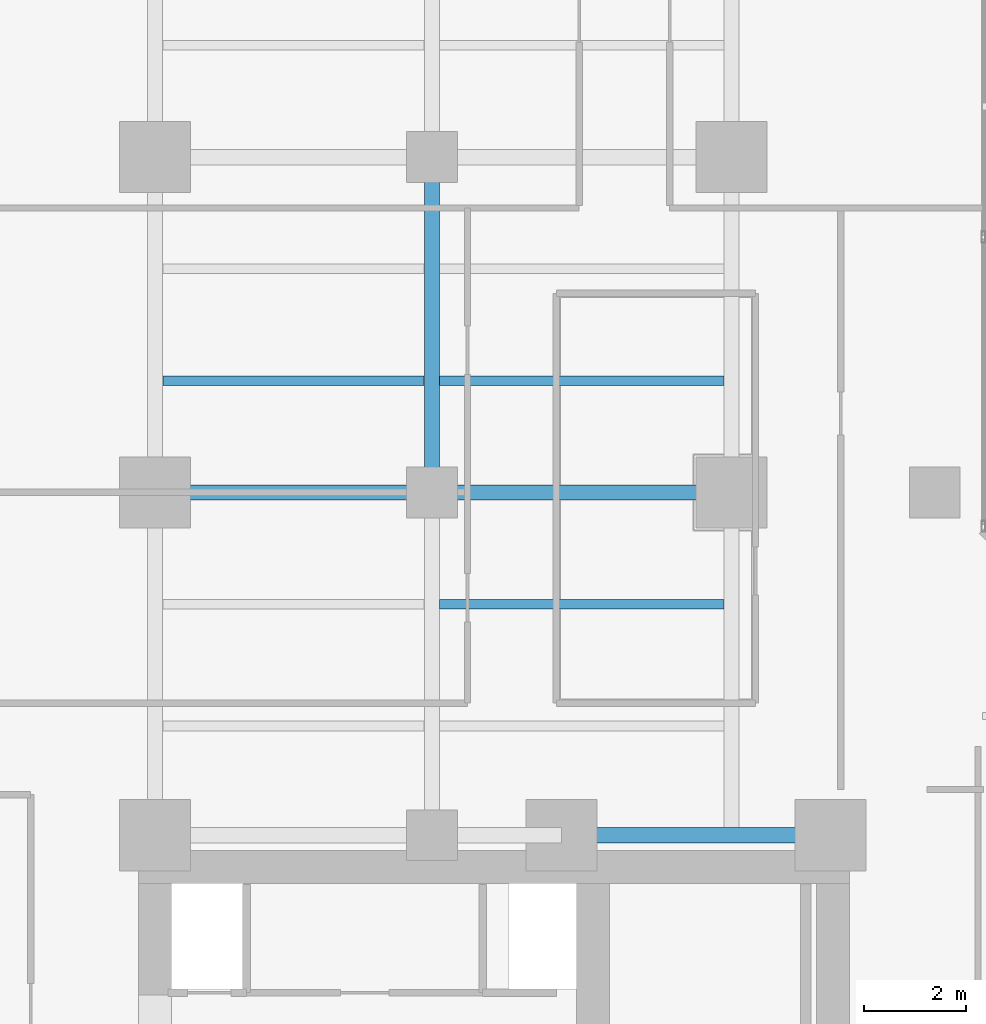
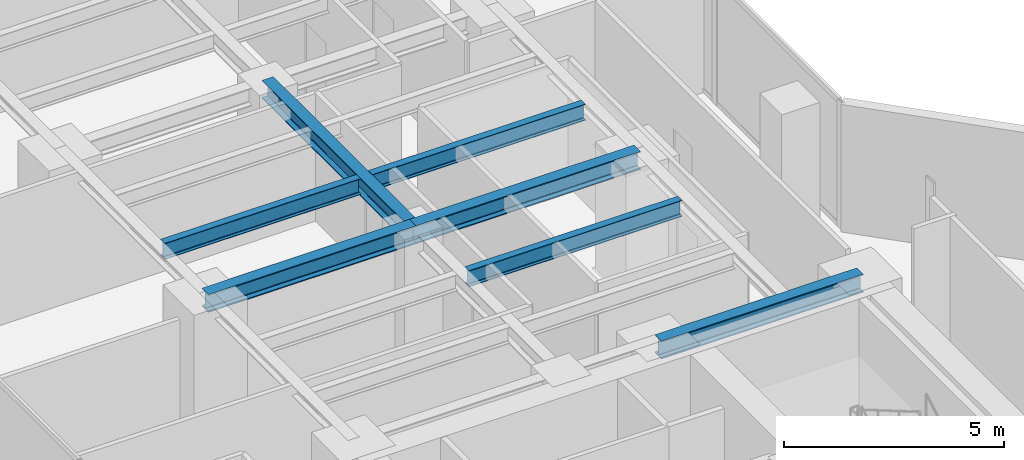
# One storey, part 8 of 26: 7 beams.
"""IFC4 building model written with IfcOpenShell, lengths in metres."""

from ifc_helpers import new_model, si_unit, direction, frame, origin, origin_2d, place, context, subcontext, project, spatial, i_section, extrude, material, material_profile, profile_set, type_object, element, save


model = new_model("IFC4")

# Units and contexts
model_context = context("Model", 3, precision=1e-05, world=origin(), true_north=direction((0.0, 1.0)))
body_context = subcontext(model_context, "Body", "Model", "MODEL_VIEW")
ifc_project = project(units=[si_unit("LENGTHUNIT", "METRE"), si_unit("AREAUNIT", "SQUARE_METRE"), si_unit("VOLUMEUNIT", "CUBIC_METRE"), si_unit("PLANEANGLEUNIT", "RADIAN"), si_unit("MASSUNIT", "GRAM", prefix="KILO")], contexts=[model_context])

# Site, building, storey
site_placement = place(None, origin())
site = spatial("IfcSite", under=ifc_project, at=site_placement, CompositionType="ELEMENT")
building_placement = place(site_placement, origin())
building = spatial("IfcBuilding", under=site, at=building_placement, Name="Kolvaren Waterfront Exchange", CompositionType="ELEMENT")
storey_placement = place(building_placement, frame((0.0, 0.0, 122.10009765625)))
storey = spatial("IfcBuildingStorey", under=building, at=storey_placement, Name="L31", CompositionType="ELEMENT", Elevation=122.10009765625)

# Beams
ifc_material = material(Name="Steel S355", Category="steel")
ifc_material_profile_1 = material_profile(ifc_material, i_section(OverallWidth=0.300048828125, OverallDepth=0.5, WebThickness=0.014404296875, FlangeThickness=0.028076171875, FilletRadius=0.027099609375, at=origin_2d()), Name="HEB500")
ifc_profile_set_1 = profile_set([ifc_material_profile_1], Name="Steel S355")
beam_type_1 = type_object("IfcBeamType", Name="STR-BM-HEB500", PredefinedType="BEAM", material=ifc_profile_set_1)
beam_1_placement = place(storey_placement, frame((15.449951171875, 24.449951171875, 3.289794921875), z_axis=(1.0, 0.0, 0.0), x_axis=(0.0, 1.0, 0.0)))
element("IfcBeam", 1, at=beam_1_placement, inside=storey, type_object=beam_type_1, Name="L31 north-arm girder 1C", PredefinedType="BEAM", context=body_context, shape_type="SweptSolid", body=[
    extrude(i_section(OverallWidth=0.300048828125, OverallDepth=0.5, WebThickness=0.014404296875, FlangeThickness=0.028076171875, FilletRadius=0.027099609375, at=origin_2d()), origin(), (0.0, 0.0, 1.0), 5.300048828125),
])
beam_2_placement = place(storey_placement, frame((7.449951171875, 31.199951171875, 3.289794921875), z_axis=(1.0, 0.0, 0.0), x_axis=(0.0, 1.0, 0.0)))
element("IfcBeam", 2, at=beam_2_placement, inside=storey, type_object=beam_type_1, Name="L31 north-arm girder 2A", PredefinedType="BEAM", context=body_context, shape_type="SweptSolid", body=[
    extrude(i_section(OverallWidth=0.300048828125, OverallDepth=0.5, WebThickness=0.014404296875, FlangeThickness=0.028076171875, FilletRadius=0.027099609375, at=origin_2d()), origin(), (0.0, 0.0, 1.0), 5.449951171875),
])
beam_3_placement = place(storey_placement, frame((12.89990234375, 31.199951171875, 3.289794921875), z_axis=(1.0, 0.0, 0.0), x_axis=(0.0, 1.0, 0.0)))
element("IfcBeam", 3, at=beam_3_placement, inside=storey, type_object=beam_type_1, Name="L31 north-arm girder 2B", PredefinedType="BEAM", context=body_context, shape_type="SweptSolid", body=[
    extrude(i_section(OverallWidth=0.300048828125, OverallDepth=0.5, WebThickness=0.014404296875, FlangeThickness=0.028076171875, FilletRadius=0.027099609375, at=origin_2d()), origin(), (0.0, 0.0, 1.0), 5.900146484375),
])
beam_4_placement = place(storey_placement, frame((12.89990234375, 31.199951171875, 3.289794921875), z_axis=(0.0, 1.0, 0.0), x_axis=(-1.0, 0.0, 0.0)))
element("IfcBeam", 4, at=beam_4_placement, inside=storey, type_object=beam_type_1, Name="L31 north-arm edge beam 2", PredefinedType="BEAM", context=body_context, shape_type="SweptSolid", body=[
    extrude(i_section(OverallWidth=0.300048828125, OverallDepth=0.5, WebThickness=0.014404296875, FlangeThickness=0.028076171875, FilletRadius=0.027099609375, at=origin_2d()), origin(), (0.0, 0.0, 1.0), 6.60009765625),
])
ifc_material_profile_2 = material_profile(ifc_material, i_section(OverallWidth=0.18994140625, OverallDepth=0.449951171875, WebThickness=0.009521484375, FlangeThickness=0.0146484375, FilletRadius=0.02099609375, at=origin_2d()), Name="IPE450")
ifc_profile_set_2 = profile_set([ifc_material_profile_2], Name="Steel S355")
beam_type_2 = type_object("IfcBeamType", Name="STR-BM-IPE450", PredefinedType="JOIST", material=ifc_profile_set_2)
beam_5_placement = place(storey_placement, frame((13.052001953125, 29.0, 3.31494140625), z_axis=(1.0, 0.0, 0.0), x_axis=(0.0, 1.0, 0.0)))
element("IfcBeam", 5, at=beam_5_placement, inside=storey, type_object=beam_type_2, Name="L31 north-arm composite joist 2B", PredefinedType="JOIST", context=body_context, shape_type="SweptSolid", body=[
    extrude(i_section(OverallWidth=0.18994140625, OverallDepth=0.449951171875, WebThickness=0.009521484375, FlangeThickness=0.0146484375, FilletRadius=0.02099609375, at=origin_2d()), origin(), (0.0, 0.0, 1.0), 5.595947265625),
])
beam_6_placement = place(storey_placement, frame((7.60205078125, 33.39990234375, 3.31494140625), z_axis=(1.0, 0.0, 0.0), x_axis=(0.0, 1.0, 0.0)))
element("IfcBeam", 6, at=beam_6_placement, inside=storey, type_object=beam_type_2, Name="L31 north-arm composite joist 3A", PredefinedType="JOIST", context=body_context, shape_type="SweptSolid", body=[
    extrude(i_section(OverallWidth=0.18994140625, OverallDepth=0.449951171875, WebThickness=0.009521484375, FlangeThickness=0.0146484375, FilletRadius=0.02099609375, at=origin_2d()), origin(), (0.0, 0.0, 1.0), 5.14599609375),
])
beam_7_placement = place(storey_placement, frame((13.052001953125, 33.39990234375, 3.31494140625), z_axis=(1.0, 0.0, 0.0), x_axis=(0.0, 1.0, 0.0)))
element("IfcBeam", 7, at=beam_7_placement, inside=storey, type_object=beam_type_2, Name="L31 north-arm composite joist 3B", PredefinedType="JOIST", context=body_context, shape_type="SweptSolid", body=[
    extrude(i_section(OverallWidth=0.18994140625, OverallDepth=0.449951171875, WebThickness=0.009521484375, FlangeThickness=0.0146484375, FilletRadius=0.02099609375, at=origin_2d()), origin(), (0.0, 0.0, 1.0), 5.595947265625),
])

save(model, "model.ifc")
